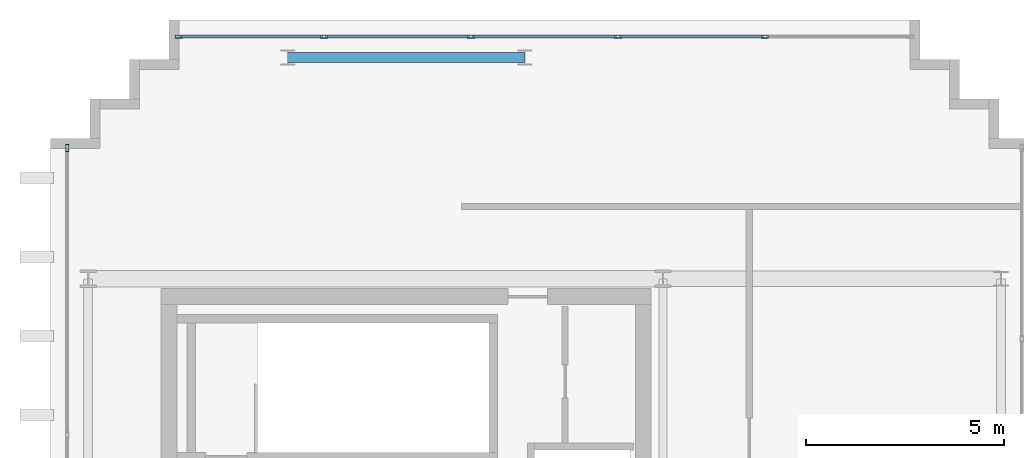
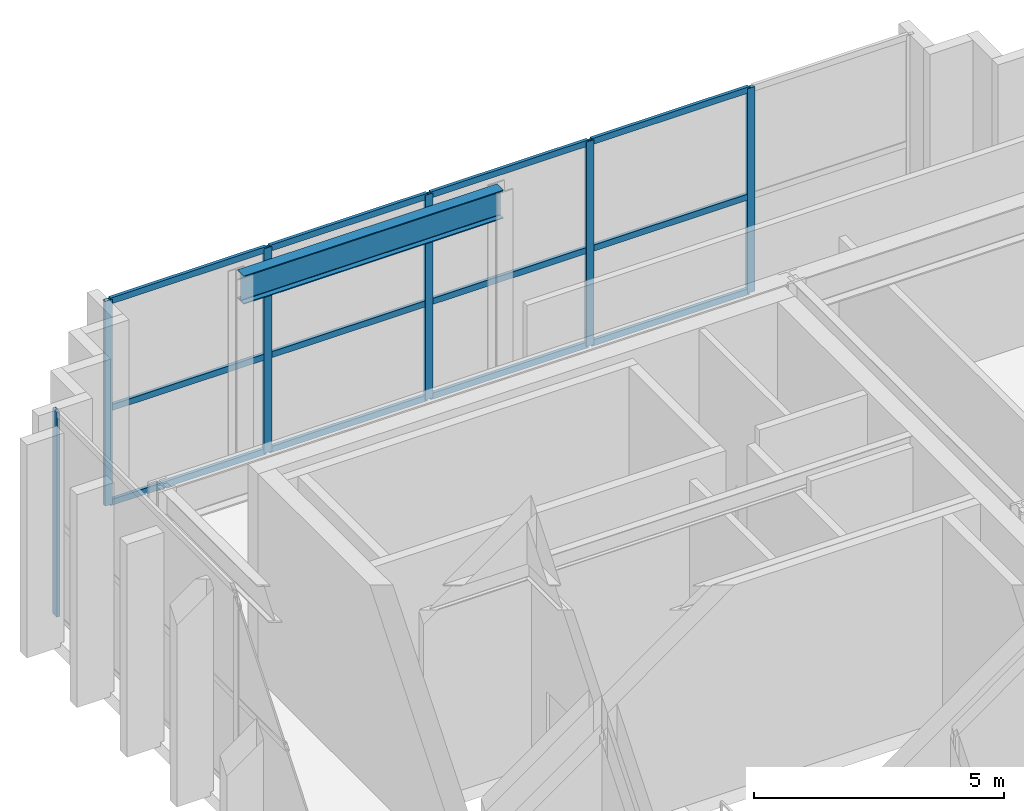
# One storey, part 9 of 14: 18 members, 1 beam, 2 elements without a shape of their own.
"""IFC4 building model written with IfcOpenShell, lengths in metres."""

from ifc_helpers import new_model, si_unit, direction, frame, origin, origin_2d, place, context, subcontext, project, spatial, hollow_rectangle, i_section, extrude, source, transform, mapped, material, layer, layer_set, material_profile, profile_set, type_object, element, aggregate, save


model = new_model("IFC4")

# Units and contexts
model_context = context("Model", 3, precision=1e-05, world=origin(), true_north=direction((0.0, 1.0)))
body_context = subcontext(model_context, "Body", "Model", "MODEL_VIEW")
ifc_project = project(units=[si_unit("LENGTHUNIT", "METRE"), si_unit("AREAUNIT", "SQUARE_METRE"), si_unit("VOLUMEUNIT", "CUBIC_METRE"), si_unit("PLANEANGLEUNIT", "RADIAN"), si_unit("MASSUNIT", "GRAM", prefix="KILO")], contexts=[model_context])

# Site, building, storey
site_placement = place(None, origin())
site = spatial("IfcSite", under=ifc_project, at=site_placement, CompositionType="ELEMENT")
building_placement = place(site_placement, origin())
building = spatial("IfcBuilding", under=site, at=building_placement, Name="Ocotamira Hotel", CompositionType="ELEMENT")
storey_placement = place(building_placement, frame((0.0, 0.0, 309.60009765625)))
storey = spatial("IfcBuildingStorey", under=building, at=storey_placement, Name="L79", CompositionType="ELEMENT", Elevation=309.60009765625)

# Beam
ifc_material_1 = material(Name="Steel ASTM A992 Grade 50", Category="steel")
ifc_material_profile_1 = material_profile(ifc_material_1, i_section(OverallWidth=0.256103515625, OverallDepth=0.693115234375, WebThickness=0.014404296875, FlangeThickness=0.023681640625, FilletRadius=0.01611328125, at=origin_2d()), Name="W27X114")
ifc_profile_set_1 = profile_set([ifc_material_profile_1], Name="Steel ASTM A992 Grade 50")
beam_type = type_object("IfcBeamType", Name="BM-PRIM-W27X114", PredefinedType="BEAM", material=ifc_profile_set_1)
shared_shape_1 = source(origin(), body_context, "Body", "SweptSolid", [
    extrude(i_section(OverallWidth=0.256103515625, OverallDepth=0.693115234375, WebThickness=0.014404296875, FlangeThickness=0.023681640625, FilletRadius=0.01611328125, at=origin_2d()), origin(), (0.0, 0.0, 1.0), 6.0),
])
beam_placement = place(storey_placement, frame((14.0, 43.050048828125, 4.6533203125), z_axis=(1.0, 0.0, 0.0), x_axis=(0.0, 1.0, 0.0)))
element("IfcBeam", 1, at=beam_placement, inside=storey, type_object=beam_type, Name="L79 Girder Y43.05 X14-20", PredefinedType="BEAM", context=body_context, shape_type="MappedRepresentation", body=[
    mapped(shared_shape_1, transform((0.0, 0.0, 0.0), scale=1.0)),
])

# Curtain wall, members
ifc_material_2 = material(Name="Anodised pale-metal aluminium and solar glass", Category="aluminium")
ifc_layer = layer(ifc_material_2, 0.2099609375)
ifc_layer_set = layer_set([ifc_layer], Name="Anodised pale-metal aluminium and solar glass")
curtain_wall_type = type_object("IfcCurtainWallType", Name="CW-SYS7-PEAK", PredefinedType="NOTDEFINED", material=ifc_layer_set)
curtain_wall_1_placement = place(storey_placement, origin())
curtain_wall_1 = element("IfcCurtainWall", 2, at=curtain_wall_1_placement, inside=storey, type_object=curtain_wall_type, Name="L79 Curtain Wall CW-7 CW-L79-N", PredefinedType="NOTDEFINED")
ifc_material_3 = material(Name="Anodised pale-metal aluminium 6063-T6", Category="aluminium")
ifc_material_profile_2 = material_profile(ifc_material_3, hollow_rectangle(XDim=0.074951171875, YDim=0.14990234375, WallThickness=0.006103515625, at=origin_2d()), Name="HSS150X75X6")
ifc_profile_set_2 = profile_set([ifc_material_profile_2], Name="Anodised pale-metal aluminium 6063-T6")
member_type_1 = type_object("IfcMemberType", Name="CWT-150X75", PredefinedType="USERDEFINED", material=ifc_profile_set_2)
shared_shape_2 = source(origin(), body_context, "Body", "SweptSolid", [
    extrude(hollow_rectangle(XDim=0.074951171875, YDim=0.14990234375, WallThickness=0.006103515625, at=origin_2d()), origin(), (0.0, 0.0, 1.0), 3.599853515625),
])
member_1_placement = place(storey_placement, frame((11.280029296875, 43.580078125, 0.037353515625), z_axis=(1.0, 0.0, 0.0), x_axis=(0.0, 1.0, 0.0)))
member_1 = element("IfcMember", 3, at=member_1_placement, type_object=member_type_1, Name="CW-7 transom 1.1", ObjectType="TRANSOM", PredefinedType="USERDEFINED", context=body_context, shape_type="MappedRepresentation", body=[
    mapped(shared_shape_2, transform((0.0, 0.0, 0.0), scale=1.0)),
])
member_2_placement = place(storey_placement, frame((11.280029296875, 43.580078125, 2.349853515625), z_axis=(1.0, 0.0, 0.0), x_axis=(0.0, 1.0, 0.0)))
member_2 = element("IfcMember", 4, at=member_2_placement, type_object=member_type_1, Name="CW-7 transom 1.2", ObjectType="TRANSOM", PredefinedType="USERDEFINED", context=body_context, shape_type="MappedRepresentation", body=[
    mapped(shared_shape_2, transform((0.0, 0.0, 0.0), scale=1.0)),
])
member_3_placement = place(storey_placement, frame((11.280029296875, 43.580078125, 4.96240234375), z_axis=(1.0, 0.0, 0.0), x_axis=(0.0, 1.0, 0.0)))
member_3 = element("IfcMember", 5, at=member_3_placement, type_object=member_type_1, Name="CW-7 transom 1.3", ObjectType="TRANSOM", PredefinedType="USERDEFINED", context=body_context, shape_type="MappedRepresentation", body=[
    mapped(shared_shape_2, transform((0.0, 0.0, 0.0), scale=1.0)),
])
shared_shape_3 = source(origin(), body_context, "Body", "SweptSolid", [
    extrude(hollow_rectangle(XDim=0.074951171875, YDim=0.14990234375, WallThickness=0.006103515625, at=origin_2d()), origin(), (0.0, 0.0, 1.0), 3.64013671875),
])
member_4_placement = place(storey_placement, frame((14.9599609375, 43.580078125, 0.037353515625), z_axis=(1.0, 0.0, 0.0), x_axis=(0.0, 1.0, 0.0)))
member_4 = element("IfcMember", 6, at=member_4_placement, type_object=member_type_1, Name="CW-7 transom 2.1", ObjectType="TRANSOM", PredefinedType="USERDEFINED", context=body_context, shape_type="MappedRepresentation", body=[
    mapped(shared_shape_3, transform((0.0, 0.0, 0.0), scale=1.0)),
])
member_5_placement = place(storey_placement, frame((14.9599609375, 43.580078125, 2.349853515625), z_axis=(1.0, 0.0, 0.0), x_axis=(0.0, 1.0, 0.0)))
member_5 = element("IfcMember", 7, at=member_5_placement, type_object=member_type_1, Name="CW-7 transom 2.2", ObjectType="TRANSOM", PredefinedType="USERDEFINED", context=body_context, shape_type="MappedRepresentation", body=[
    mapped(shared_shape_3, transform((0.0, 0.0, 0.0), scale=1.0)),
])
member_6_placement = place(storey_placement, frame((14.9599609375, 43.580078125, 4.96240234375), z_axis=(1.0, 0.0, 0.0), x_axis=(0.0, 1.0, 0.0)))
member_6 = element("IfcMember", 8, at=member_6_placement, type_object=member_type_1, Name="CW-7 transom 2.3", ObjectType="TRANSOM", PredefinedType="USERDEFINED", context=body_context, shape_type="MappedRepresentation", body=[
    mapped(shared_shape_3, transform((0.0, 0.0, 0.0), scale=1.0)),
])
member_7_placement = place(storey_placement, frame((18.679931640625, 43.580078125, 0.037353515625), z_axis=(1.0, 0.0, 0.0), x_axis=(0.0, 1.0, 0.0)))
member_7 = element("IfcMember", 9, at=member_7_placement, type_object=member_type_1, Name="CW-7 transom 3.1", ObjectType="TRANSOM", PredefinedType="USERDEFINED", context=body_context, shape_type="MappedRepresentation", body=[
    mapped(shared_shape_3, transform((0.0, 0.0, 0.0), scale=1.0)),
])
member_8_placement = place(storey_placement, frame((18.679931640625, 43.580078125, 2.349853515625), z_axis=(1.0, 0.0, 0.0), x_axis=(0.0, 1.0, 0.0)))
member_8 = element("IfcMember", 10, at=member_8_placement, type_object=member_type_1, Name="CW-7 transom 3.2", ObjectType="TRANSOM", PredefinedType="USERDEFINED", context=body_context, shape_type="MappedRepresentation", body=[
    mapped(shared_shape_3, transform((0.0, 0.0, 0.0), scale=1.0)),
])
member_9_placement = place(storey_placement, frame((18.679931640625, 43.580078125, 4.96240234375), z_axis=(1.0, 0.0, 0.0), x_axis=(0.0, 1.0, 0.0)))
member_9 = element("IfcMember", 11, at=member_9_placement, type_object=member_type_1, Name="CW-7 transom 3.3", ObjectType="TRANSOM", PredefinedType="USERDEFINED", context=body_context, shape_type="MappedRepresentation", body=[
    mapped(shared_shape_3, transform((0.0, 0.0, 0.0), scale=1.0)),
])
member_10_placement = place(storey_placement, frame((22.39990234375, 43.580078125, 0.037353515625), z_axis=(1.0, 0.0, 0.0), x_axis=(0.0, 1.0, 0.0)))
member_10 = element("IfcMember", 12, at=member_10_placement, type_object=member_type_1, Name="CW-7 transom 4.1", ObjectType="TRANSOM", PredefinedType="USERDEFINED", context=body_context, shape_type="MappedRepresentation", body=[
    mapped(shared_shape_3, transform((0.0, 0.0, 0.0), scale=1.0)),
])
member_11_placement = place(storey_placement, frame((22.39990234375, 43.580078125, 2.349853515625), z_axis=(1.0, 0.0, 0.0), x_axis=(0.0, 1.0, 0.0)))
member_11 = element("IfcMember", 13, at=member_11_placement, type_object=member_type_1, Name="CW-7 transom 4.2", ObjectType="TRANSOM", PredefinedType="USERDEFINED", context=body_context, shape_type="MappedRepresentation", body=[
    mapped(shared_shape_3, transform((0.0, 0.0, 0.0), scale=1.0)),
])
member_12_placement = place(storey_placement, frame((22.39990234375, 43.580078125, 4.96240234375), z_axis=(1.0, 0.0, 0.0), x_axis=(0.0, 1.0, 0.0)))
member_12 = element("IfcMember", 14, at=member_12_placement, type_object=member_type_1, Name="CW-7 transom 4.3", ObjectType="TRANSOM", PredefinedType="USERDEFINED", context=body_context, shape_type="MappedRepresentation", body=[
    mapped(shared_shape_3, transform((0.0, 0.0, 0.0), scale=1.0)),
])
ifc_material_profile_3 = material_profile(ifc_material_3, hollow_rectangle(XDim=0.080078125, YDim=0.179931640625, WallThickness=0.006103515625, at=origin_2d()), Name="HSS180X80X6")
ifc_profile_set_3 = profile_set([ifc_material_profile_3], Name="Anodised pale-metal aluminium 6063-T6")
member_type_2 = type_object("IfcMemberType", Name="CWM-180X75", PredefinedType="MULLION", material=ifc_profile_set_3)
shared_shape_4 = source(origin(), body_context, "Body", "SweptSolid", [
    extrude(hollow_rectangle(XDim=0.080078125, YDim=0.179931640625, WallThickness=0.006103515625, at=origin_2d()), origin(), (0.0, 0.0, 1.0), 5.0),
])
member_13_placement = place(storey_placement, frame((11.239990234375, 43.580078125, 0.0), z_axis=(0.0, 0.0, 1.0), x_axis=(0.0, 1.0, 0.0)))
member_13 = element("IfcMember", 15, at=member_13_placement, type_object=member_type_2, Name="CW-7 mullion 1", PredefinedType="MULLION", context=body_context, shape_type="MappedRepresentation", body=[
    mapped(shared_shape_4, transform((0.0, 0.0, 0.0), scale=1.0)),
])
member_14_placement = place(storey_placement, frame((14.919921875, 43.580078125, 0.0), z_axis=(0.0, 0.0, 1.0), x_axis=(0.0, 1.0, 0.0)))
member_14 = element("IfcMember", 16, at=member_14_placement, type_object=member_type_2, Name="CW-7 mullion 2", PredefinedType="MULLION", context=body_context, shape_type="MappedRepresentation", body=[
    mapped(shared_shape_4, transform((0.0, 0.0, 0.0), scale=1.0)),
])
member_15_placement = place(storey_placement, frame((18.639892578125, 43.580078125, 0.0), z_axis=(0.0, 0.0, 1.0), x_axis=(0.0, 1.0, 0.0)))
member_15 = element("IfcMember", 17, at=member_15_placement, type_object=member_type_2, Name="CW-7 mullion 3", PredefinedType="MULLION", context=body_context, shape_type="MappedRepresentation", body=[
    mapped(shared_shape_4, transform((0.0, 0.0, 0.0), scale=1.0)),
])
member_16_placement = place(storey_placement, frame((22.360107421875, 43.580078125, 0.0), z_axis=(0.0, 0.0, 1.0), x_axis=(0.0, 1.0, 0.0)))
member_16 = element("IfcMember", 18, at=member_16_placement, type_object=member_type_2, Name="CW-7 mullion 4", PredefinedType="MULLION", context=body_context, shape_type="MappedRepresentation", body=[
    mapped(shared_shape_4, transform((0.0, 0.0, 0.0), scale=1.0)),
])
member_17_placement = place(storey_placement, frame((26.080078125, 43.580078125, 0.0), z_axis=(0.0, 0.0, 1.0), x_axis=(0.0, 1.0, 0.0)))
member_17 = element("IfcMember", 19, at=member_17_placement, type_object=member_type_2, Name="CW-7 mullion 5", PredefinedType="MULLION", context=body_context, shape_type="MappedRepresentation", body=[
    mapped(shared_shape_4, transform((0.0, 0.0, 0.0), scale=1.0)),
])
aggregate(curtain_wall_1, [member_13, member_14, member_15, member_16, member_17, member_1, member_2, member_3, member_4, member_5, member_6, member_7, member_8, member_9, member_10, member_11, member_12])

# Curtain wall, member
curtain_wall_2_placement = place(storey_placement, origin())
curtain_wall_2 = element("IfcCurtainWall", 20, at=curtain_wall_2_placement, inside=storey, type_object=curtain_wall_type, Name="L79 Curtain Wall CW-7 CW-L79-W2", PredefinedType="NOTDEFINED")
member_18_placement = place(storey_placement, frame((8.419921875, 40.760009765625, 0.0), z_axis=(0.0, 0.0, 1.0), x_axis=(-1.0, 0.0, 0.0)))
member_18 = element("IfcMember", 21, at=member_18_placement, type_object=member_type_2, Name="CW-7 mullion 3", PredefinedType="MULLION", context=body_context, shape_type="MappedRepresentation", body=[
    mapped(shared_shape_4, transform((0.0, 0.0, 0.0), scale=1.0)),
])
aggregate(curtain_wall_2, [member_18])

save(model, "model.ifc")
